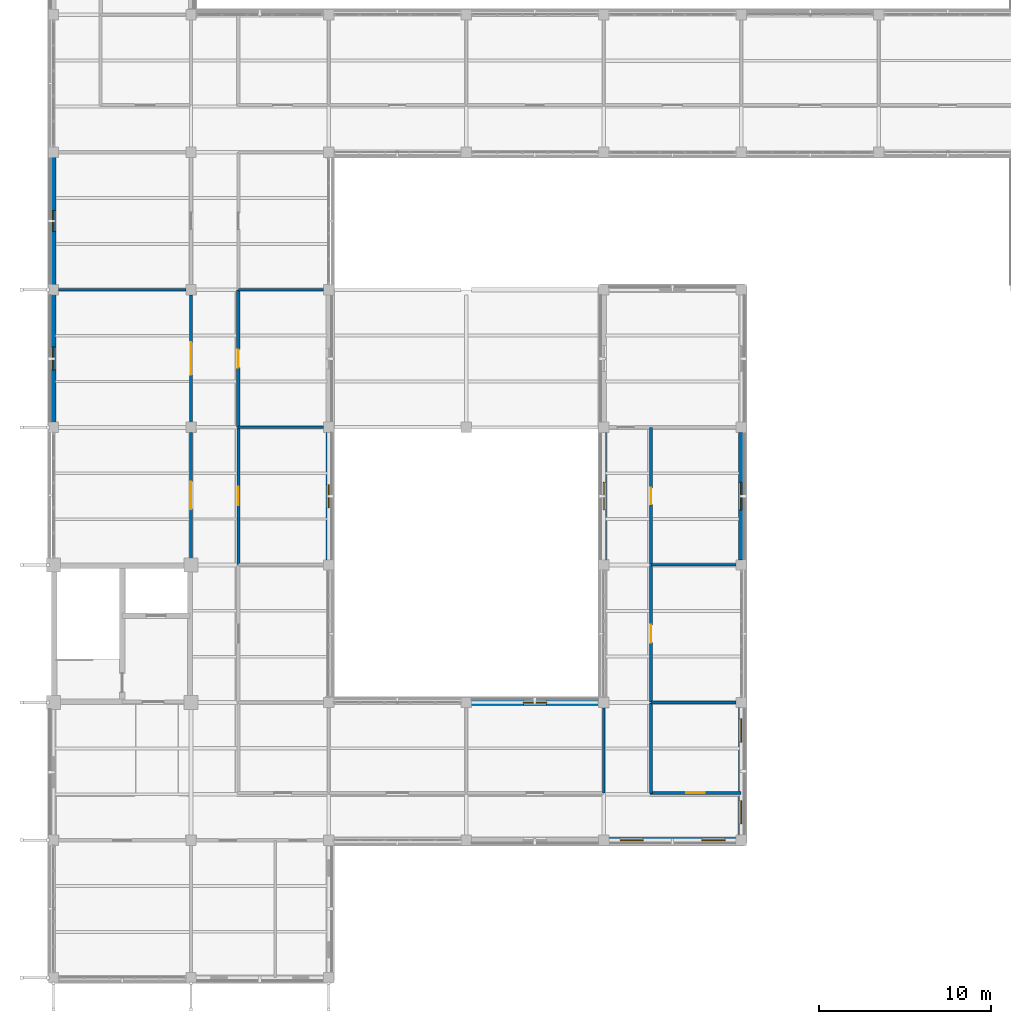
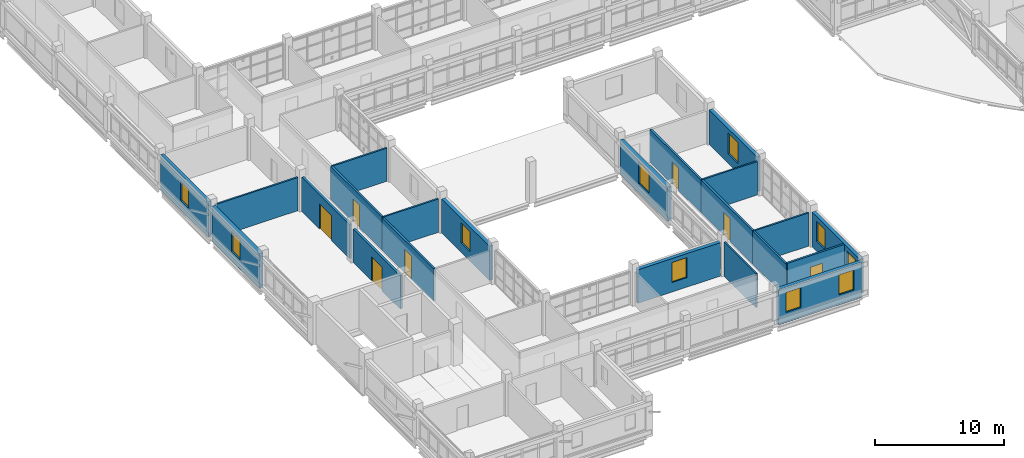
# One storey, part 88 of 126: 22 walls, 10 windows, 7 doors, 17 openings.
"""IFC4 building model written with IfcOpenShell, lengths in metres."""

from ifc_helpers import new_model, si_unit, derived_unit, direction, frame, frame_2d, origin, place, context, subcontext, project, spatial, rectangle, extrude, material, layer, layer_set, type_object, element, fill, save


model = new_model("IFC4")

# Units and contexts
model_context = context("Model", 3, precision=1e-05, world=origin(), true_north=direction((0.0, 1.0)))
body_context = subcontext(model_context, "Body", "Model", "MODEL_VIEW")
ifc_project = project(units=[si_unit("LENGTHUNIT", "METRE"), si_unit("AREAUNIT", "SQUARE_METRE"), si_unit("VOLUMEUNIT", "CUBIC_METRE"), si_unit("PLANEANGLEUNIT", "RADIAN"), si_unit("MASSUNIT", "GRAM", prefix="KILO"), derived_unit("THERMALTRANSMITTANCEUNIT", [(si_unit("MASSUNIT", "GRAM", prefix="KILO"), 1), (si_unit("TIMEUNIT", "SECOND"), -3), (si_unit("THERMODYNAMICTEMPERATUREUNIT", "KELVIN"), -1)])], contexts=[model_context])

# Site, building, storey
site_placement = place(None, origin())
site = spatial("IfcSite", under=ifc_project, at=site_placement, CompositionType="ELEMENT")
building_placement = place(site_placement, origin())
building = spatial("IfcBuilding", under=site, at=building_placement, Name="Veyamyaing Civic Hall", CompositionType="ELEMENT")
storey_placement = place(building_placement, frame((0.0, 0.0, 9.89990234375)))
storey = spatial("IfcBuildingStorey", under=building, at=storey_placement, Name="L02", CompositionType="ELEMENT", Elevation=9.89990234375)

# Wall, opening, window
ifc_material_1 = material(Name="Precast concrete C40/50", Category="concrete")
ifc_layer_1 = layer(ifc_material_1, 0.320068359375, Name="Precast concrete C40/50")
ifc_layer_set_1 = layer_set([ifc_layer_1], Name="Precast concrete C40/50")
wall_type_1 = type_object("IfcWallType", Name="WT-02", PredefinedType="SOLIDWALL", material=ifc_layer_set_1)
wall_1_placement = place(storey_placement, frame((0.0, 32.284912109375, 0.0), z_axis=(0.0, 0.0, 1.0), x_axis=(0.0, 1.0, 0.0)))
wall_1 = element("IfcWall", 1, at=wall_1_placement, inside=storey, type_object=wall_type_1, Name="Exterior facade wall WT-02 L02 W 1.5", PredefinedType="SOLIDWALL", context=body_context, shape_type="SweptSolid", body=[
    extrude(rectangle(XDim=7.43017578125, YDim=0.320068359375, at=frame_2d((3.715087890625, 0.0))), origin(), (0.0, 0.0, 1.0), 3.299072265625),
])
opening_1_placement = place(wall_1_placement, frame((3.0400390625, 0.0, 0.89990234375)))
opening_1 = element("IfcOpeningElement", 2, at=opening_1_placement, cuts=wall_1, Name="Opening W-13", PredefinedType="OPENING", context=body_context, shape_type="SweptSolid", body=[
    extrude(rectangle(XDim=1.35009765625, YDim=1.89990234375, at=frame_2d((0.675048828125, 0.949951171875))), frame((0.0, 0.169921875, 0.0), z_axis=(0.0, -1.0, 0.0), x_axis=(1.0, 0.0, 0.0)), (0.0, 0.0, 1.0), 0.340087890625),
])
ifc_material_2 = material(Name="Low-E insulated glass", Category="glass")
window_type_1 = type_object("IfcWindowType", Name="W-13", PartitioningType="SINGLE_PANEL", PredefinedType="WINDOW", material=ifc_material_2)
window_1_placement = place(opening_1_placement, origin())
window_1 = element("IfcWindow", 3, at=window_1_placement, inside=storey, type_object=window_type_1, Name="Facade window W-13 L02 W 1.5", OverallHeight=1.89990234375, OverallWidth=1.35009765625, PartitioningType="SINGLE_PANEL", PredefinedType="WINDOW", context=body_context, shape_type="SweptSolid", body=[
    extrude(rectangle(XDim=1.35009765625, YDim=1.89990234375, at=frame_2d((0.675048828125, 0.949951171875))), frame((0.0, 0.030029296875, 0.0), z_axis=(0.0, -1.0, 0.0), x_axis=(1.0, 0.0, 0.0)), (0.0, 0.0, 1.0), 0.06005859375),
])
fill(opening_1, window_1)

wall_2_placement = place(storey_placement, frame((16.0, 24.284912109375, 0.0), z_axis=(0.0, 0.0, 1.0), x_axis=(0.0, 1.0, 0.0)))
wall_2 = element("IfcWall", 4, at=wall_2_placement, inside=storey, type_object=wall_type_1, Name="Exterior facade wall WT-02 L02 E 2.4", PredefinedType="SOLIDWALL", context=body_context, shape_type="SweptSolid", body=[
    extrude(rectangle(XDim=7.43017578125, YDim=0.320068359375, at=frame_2d((3.715087890625, 0.0))), origin(), (0.0, 0.0, 1.0), 3.2490234375),
])
opening_2_placement = place(wall_2_placement, frame((3.0400390625, 0.0, 0.89990234375)))
opening_2 = element("IfcOpeningElement", 5, at=opening_2_placement, cuts=wall_2, Name="Opening W-13", PredefinedType="OPENING", context=body_context, shape_type="SweptSolid", body=[
    extrude(rectangle(XDim=1.35009765625, YDim=1.89990234375, at=frame_2d((0.675048828125, 0.949951171875))), frame((0.0, 0.169921875, 0.0), z_axis=(0.0, -1.0, 0.0), x_axis=(1.0, 0.0, 0.0)), (0.0, 0.0, 1.0), 0.340087890625),
])
window_2_placement = place(opening_2_placement, origin())
window_2 = element("IfcWindow", 6, at=window_2_placement, inside=storey, type_object=window_type_1, Name="Facade window W-13 L02 E 2.4", OverallHeight=1.89990234375, OverallWidth=1.35009765625, PartitioningType="SINGLE_PANEL", PredefinedType="WINDOW", context=body_context, shape_type="SweptSolid", body=[
    extrude(rectangle(XDim=1.35009765625, YDim=1.89990234375, at=frame_2d((0.675048828125, 0.949951171875))), frame((0.0, 0.030029296875, 0.0), z_axis=(0.0, -1.0, 0.0), x_axis=(1.0, 0.0, 0.0)), (0.0, 0.0, 1.0), 0.06005859375),
])
fill(opening_2, window_2)

wall_3_placement = place(storey_placement, frame((24.284912109375, 16.0, 0.0), z_axis=(0.0, 0.0, 1.0), x_axis=(1.0, 0.0, 0.0)))
wall_3 = element("IfcWall", 7, at=wall_3_placement, inside=storey, type_object=wall_type_1, Name="Exterior facade wall WT-02 L02 N 4.2", PredefinedType="SOLIDWALL", context=body_context, shape_type="SweptSolid", body=[
    extrude(rectangle(XDim=7.43017578125, YDim=0.320068359375, at=frame_2d((3.715087890625, 0.0))), origin(), (0.0, 0.0, 1.0), 3.17919921875),
])
opening_3_placement = place(wall_3_placement, frame((3.0400390625, 0.0, 0.89990234375)))
opening_3 = element("IfcOpeningElement", 8, at=opening_3_placement, cuts=wall_3, Name="Opening W-13", PredefinedType="OPENING", context=body_context, shape_type="SweptSolid", body=[
    extrude(rectangle(XDim=1.35009765625, YDim=1.89990234375, at=frame_2d((0.675048828125, 0.949951171875))), frame((0.0, 0.169921875, 0.0), z_axis=(0.0, -1.0, 0.0), x_axis=(1.0, 0.0, 0.0)), (0.0, 0.0, 1.0), 0.340087890625),
])
window_3_placement = place(opening_3_placement, origin())
window_3 = element("IfcWindow", 9, at=window_3_placement, inside=storey, type_object=window_type_1, Name="Facade window W-13 L02 N 4.2", OverallHeight=1.89990234375, OverallWidth=1.35009765625, PartitioningType="SINGLE_PANEL", PredefinedType="WINDOW", context=body_context, shape_type="SweptSolid", body=[
    extrude(rectangle(XDim=1.35009765625, YDim=1.89990234375, at=frame_2d((0.675048828125, 0.949951171875))), frame((0.0, 0.030029296875, 0.0), z_axis=(0.0, -1.0, 0.0), x_axis=(1.0, 0.0, 0.0)), (0.0, 0.0, 1.0), 0.06005859375),
])
fill(opening_3, window_3)

# Wall, openings, windows
wall_4_placement = place(storey_placement, frame((32.284912109375, 8.0, 0.0), z_axis=(0.0, 0.0, 1.0), x_axis=(1.0, 0.0, 0.0)))
wall_4 = element("IfcWall", 10, at=wall_4_placement, inside=storey, type_object=wall_type_1, Name="Exterior facade wall WT-02 L02 S 5.2", PredefinedType="SOLIDWALL", context=body_context, shape_type="SweptSolid", body=[
    extrude(rectangle(XDim=7.43017578125, YDim=0.320068359375, at=frame_2d((3.715087890625, 0.0))), origin(), (0.0, 0.0, 1.0), 3.362060546875),
])
opening_4_placement = place(wall_4_placement, frame((0.662353515625, 0.0, 0.949951171875)))
opening_4 = element("IfcOpeningElement", 11, at=opening_4_placement, cuts=wall_4, Name="Opening W-13", PredefinedType="OPENING", context=body_context, shape_type="SweptSolid", body=[
    extrude(rectangle(XDim=1.35009765625, YDim=1.89990234375, at=frame_2d((0.675048828125, 0.949951171875))), frame((0.0, 0.169921875, 0.0), z_axis=(0.0, -1.0, 0.0), x_axis=(1.0, 0.0, 0.0)), (0.0, 0.0, 1.0), 0.340087890625),
])
opening_5_placement = place(wall_4_placement, frame((5.41748046875, 0.0, 0.949951171875)))
opening_5 = element("IfcOpeningElement", 12, at=opening_5_placement, cuts=wall_4, Name="Opening W-13", PredefinedType="OPENING", context=body_context, shape_type="SweptSolid", body=[
    extrude(rectangle(XDim=1.35009765625, YDim=1.89990234375, at=frame_2d((0.675048828125, 0.949951171875))), frame((0.0, 0.169921875, 0.0), z_axis=(0.0, -1.0, 0.0), x_axis=(1.0, 0.0, 0.0)), (0.0, 0.0, 1.0), 0.340087890625),
])
window_4_placement = place(opening_4_placement, origin())
window_4 = element("IfcWindow", 13, at=window_4_placement, inside=storey, type_object=window_type_1, Name="Facade window W-13 L02 S 5.2.1", OverallHeight=1.89990234375, OverallWidth=1.35009765625, PartitioningType="SINGLE_PANEL", PredefinedType="WINDOW", context=body_context, shape_type="SweptSolid", body=[
    extrude(rectangle(XDim=1.35009765625, YDim=1.89990234375, at=frame_2d((0.675048828125, 0.949951171875))), frame((0.0, 0.030029296875, 0.0), z_axis=(0.0, -1.0, 0.0), x_axis=(1.0, 0.0, 0.0)), (0.0, 0.0, 1.0), 0.06005859375),
])
fill(opening_4, window_4)
window_5_placement = place(opening_5_placement, origin())
window_5 = element("IfcWindow", 14, at=window_5_placement, inside=storey, type_object=window_type_1, Name="Facade window W-13 L02 S 5.2.2", OverallHeight=1.89990234375, OverallWidth=1.35009765625, PartitioningType="SINGLE_PANEL", PredefinedType="WINDOW", context=body_context, shape_type="SweptSolid", body=[
    extrude(rectangle(XDim=1.35009765625, YDim=1.89990234375, at=frame_2d((0.675048828125, 0.949951171875))), frame((0.0, 0.030029296875, 0.0), z_axis=(0.0, -1.0, 0.0), x_axis=(1.0, 0.0, 0.0)), (0.0, 0.0, 1.0), 0.06005859375),
])
fill(opening_5, window_5)

wall_5_placement = place(storey_placement, frame((40.0, 8.284912109375, 0.0), z_axis=(0.0, 0.0, 1.0), x_axis=(0.0, 1.0, 0.0)))
wall_5 = element("IfcWall", 15, at=wall_5_placement, inside=storey, type_object=wall_type_1, Name="Exterior facade wall WT-02 L02 E 5.2", PredefinedType="SOLIDWALL", context=body_context, shape_type="SweptSolid", body=[
    extrude(rectangle(XDim=7.43017578125, YDim=0.320068359375, at=frame_2d((3.715087890625, 0.0))), origin(), (0.0, 0.0, 1.0), 3.295166015625),
])
opening_6_placement = place(wall_5_placement, frame((0.662353515625, 0.0, 0.949951171875)))
opening_6 = element("IfcOpeningElement", 16, at=opening_6_placement, cuts=wall_5, Name="Opening W-13", PredefinedType="OPENING", context=body_context, shape_type="SweptSolid", body=[
    extrude(rectangle(XDim=1.35009765625, YDim=1.89990234375, at=frame_2d((0.675048828125, 0.949951171875))), frame((0.0, 0.169921875, 0.0), z_axis=(0.0, -1.0, 0.0), x_axis=(1.0, 0.0, 0.0)), (0.0, 0.0, 1.0), 0.340087890625),
])
opening_7_placement = place(wall_5_placement, frame((5.41748046875, 0.0, 0.949951171875)))
opening_7 = element("IfcOpeningElement", 17, at=opening_7_placement, cuts=wall_5, Name="Opening W-13", PredefinedType="OPENING", context=body_context, shape_type="SweptSolid", body=[
    extrude(rectangle(XDim=1.35009765625, YDim=1.89990234375, at=frame_2d((0.675048828125, 0.949951171875))), frame((0.0, 0.169921875, 0.0), z_axis=(0.0, -1.0, 0.0), x_axis=(1.0, 0.0, 0.0)), (0.0, 0.0, 1.0), 0.340087890625),
])
window_6_placement = place(opening_6_placement, origin())
window_6 = element("IfcWindow", 18, at=window_6_placement, inside=storey, type_object=window_type_1, Name="Facade window W-13 L02 E 5.2.1", OverallHeight=1.89990234375, OverallWidth=1.35009765625, PartitioningType="SINGLE_PANEL", PredefinedType="WINDOW", context=body_context, shape_type="SweptSolid", body=[
    extrude(rectangle(XDim=1.35009765625, YDim=1.89990234375, at=frame_2d((0.675048828125, 0.949951171875))), frame((0.0, 0.030029296875, 0.0), z_axis=(0.0, -1.0, 0.0), x_axis=(1.0, 0.0, 0.0)), (0.0, 0.0, 1.0), 0.06005859375),
])
fill(opening_6, window_6)
window_7_placement = place(opening_7_placement, origin())
window_7 = element("IfcWindow", 19, at=window_7_placement, inside=storey, type_object=window_type_1, Name="Facade window W-13 L02 E 5.2.2", OverallHeight=1.89990234375, OverallWidth=1.35009765625, PartitioningType="SINGLE_PANEL", PredefinedType="WINDOW", context=body_context, shape_type="SweptSolid", body=[
    extrude(rectangle(XDim=1.35009765625, YDim=1.89990234375, at=frame_2d((0.675048828125, 0.949951171875))), frame((0.0, 0.030029296875, 0.0), z_axis=(0.0, -1.0, 0.0), x_axis=(1.0, 0.0, 0.0)), (0.0, 0.0, 1.0), 0.06005859375),
])
fill(opening_7, window_7)

# Wall, opening, window
wall_6_placement = place(storey_placement, frame((32.0, 24.284912109375, 0.0), z_axis=(0.0, 0.0, 1.0), x_axis=(0.0, 1.0, 0.0)))
wall_6 = element("IfcWall", 20, at=wall_6_placement, inside=storey, type_object=wall_type_1, Name="Exterior facade wall WT-02 L02 W 5.4", PredefinedType="SOLIDWALL", context=body_context, shape_type="SweptSolid", body=[
    extrude(rectangle(XDim=7.43017578125, YDim=0.320068359375, at=frame_2d((3.715087890625, 0.0))), origin(), (0.0, 0.0, 1.0), 3.2431640625),
])
opening_8_placement = place(wall_6_placement, frame((2.9150390625, 0.0, 0.89990234375)))
opening_8 = element("IfcOpeningElement", 21, at=opening_8_placement, cuts=wall_6, Name="Opening W-11", PredefinedType="OPENING", context=body_context, shape_type="SweptSolid", body=[
    extrude(rectangle(XDim=1.60009765625, YDim=2.0, at=frame_2d((0.800048828125, 1.0))), frame((0.0, 0.169921875, 0.0), z_axis=(0.0, -1.0, 0.0), x_axis=(1.0, 0.0, 0.0)), (0.0, 0.0, 1.0), 0.340087890625),
])
window_type_2 = type_object("IfcWindowType", Name="W-11", PartitioningType="SINGLE_PANEL", PredefinedType="WINDOW", material=ifc_material_2)
window_8_placement = place(opening_8_placement, origin())
window_8 = element("IfcWindow", 22, at=window_8_placement, inside=storey, type_object=window_type_2, Name="Facade window W-11 L02 W 5.4", OverallHeight=2.0, OverallWidth=1.60009765625, PartitioningType="SINGLE_PANEL", PredefinedType="WINDOW", context=body_context, shape_type="SweptSolid", body=[
    extrude(rectangle(XDim=1.60009765625, YDim=2.0, at=frame_2d((0.800048828125, 1.0))), frame((0.0, 0.030029296875, 0.0), z_axis=(0.0, -1.0, 0.0), x_axis=(1.0, 0.0, 0.0)), (0.0, 0.0, 1.0), 0.06005859375),
])
fill(opening_8, window_8)

wall_7_placement = place(storey_placement, frame((40.0, 24.284912109375, 0.0), z_axis=(0.0, 0.0, 1.0), x_axis=(0.0, 1.0, 0.0)))
wall_7 = element("IfcWall", 23, at=wall_7_placement, inside=storey, type_object=wall_type_1, Name="Exterior facade wall WT-02 L02 E 5.4", PredefinedType="SOLIDWALL", context=body_context, shape_type="SweptSolid", body=[
    extrude(rectangle(XDim=7.43017578125, YDim=0.320068359375, at=frame_2d((3.715087890625, 0.0))), origin(), (0.0, 0.0, 1.0), 3.299072265625),
])
opening_9_placement = place(wall_7_placement, frame((2.9150390625, 0.0, 0.89990234375)))
opening_9 = element("IfcOpeningElement", 24, at=opening_9_placement, cuts=wall_7, Name="Opening W-11", PredefinedType="OPENING", context=body_context, shape_type="SweptSolid", body=[
    extrude(rectangle(XDim=1.60009765625, YDim=2.0, at=frame_2d((0.800048828125, 1.0))), frame((0.0, 0.169921875, 0.0), z_axis=(0.0, -1.0, 0.0), x_axis=(1.0, 0.0, 0.0)), (0.0, 0.0, 1.0), 0.340087890625),
])
window_9_placement = place(opening_9_placement, origin())
window_9 = element("IfcWindow", 25, at=window_9_placement, inside=storey, type_object=window_type_2, Name="Facade window W-11 L02 E 5.4", OverallHeight=2.0, OverallWidth=1.60009765625, PartitioningType="SINGLE_PANEL", PredefinedType="WINDOW", context=body_context, shape_type="SweptSolid", body=[
    extrude(rectangle(XDim=1.60009765625, YDim=2.0, at=frame_2d((0.800048828125, 1.0))), frame((0.0, 0.030029296875, 0.0), z_axis=(0.0, -1.0, 0.0), x_axis=(1.0, 0.0, 0.0)), (0.0, 0.0, 1.0), 0.06005859375),
])
fill(opening_9, window_9)

ifc_layer_2 = layer(ifc_material_1, 0.280029296875, Name="Precast concrete C40/50")
ifc_layer_set_2 = layer_set([ifc_layer_2], Name="Precast concrete C40/50")
wall_type_2 = type_object("IfcWallType", Name="WT-04", PredefinedType="SOLIDWALL", material=ifc_layer_set_2)
wall_8_placement = place(storey_placement, frame((0.0, 40.284912109375, 0.0), z_axis=(0.0, 0.0, 1.0), x_axis=(0.0, 1.0, 0.0)))
wall_8 = element("IfcWall", 26, at=wall_8_placement, inside=storey, type_object=wall_type_2, Name="Exterior facade wall WT-04 L02 W 1.6", PredefinedType="SOLIDWALL", context=body_context, shape_type="SweptSolid", body=[
    extrude(rectangle(XDim=7.43017578125, YDim=0.280029296875, at=frame_2d((3.715087890625, 0.0))), origin(), (0.0, 0.0, 1.0), 3.34716796875),
])
opening_10_placement = place(wall_8_placement, frame((3.114990234375, 0.0, 0.89990234375)))
opening_10 = element("IfcOpeningElement", 27, at=opening_10_placement, cuts=wall_8, Name="Opening W-14", PredefinedType="OPENING", context=body_context, shape_type="SweptSolid", body=[
    extrude(rectangle(XDim=1.199951171875, YDim=1.800048828125, at=frame_2d((0.60009765625, 0.89990234375))), frame((0.0, 0.14990234375, 0.0), z_axis=(0.0, -1.0, 0.0), x_axis=(1.0, 0.0, 0.0)), (0.0, 0.0, 1.0), 0.300048828125),
])
window_type_3 = type_object("IfcWindowType", Name="W-14", PartitioningType="SINGLE_PANEL", PredefinedType="WINDOW", material=ifc_material_2)
window_10_placement = place(opening_10_placement, origin())
window_10 = element("IfcWindow", 28, at=window_10_placement, inside=storey, type_object=window_type_3, Name="Facade window W-14 L02 W 1.6", OverallHeight=1.800048828125, OverallWidth=1.199951171875, PartitioningType="SINGLE_PANEL", PredefinedType="WINDOW", context=body_context, shape_type="SweptSolid", body=[
    extrude(rectangle(XDim=1.199951171875, YDim=1.800048828125, at=frame_2d((0.60009765625, 0.89990234375))), frame((0.0, 0.030029296875, 0.0), z_axis=(0.0, -1.0, 0.0), x_axis=(1.0, 0.0, 0.0)), (0.0, 0.0, 1.0), 0.06005859375),
])
fill(opening_10, window_10)

# Wall, opening, door
ifc_material_3 = material(Name="Concrete C40/50", Category="concrete")
ifc_layer_3 = layer(ifc_material_3, 0.199951171875, Name="Concrete C40/50")
ifc_layer_set_3 = layer_set([ifc_layer_3], Name="Concrete C40/50")
wall_type_3 = type_object("IfcWallType", Name="WT-06", PredefinedType="PARTITIONING", material=ifc_layer_set_3)
wall_9_placement = place(storey_placement, frame((8.0, 24.389892578125, 0.0), z_axis=(0.0, 0.0, 1.0), x_axis=(0.0, 1.0, 0.0)))
wall_9 = element("IfcWall", 29, at=wall_9_placement, inside=storey, type_object=wall_type_3, Name="Interior partition wall WT-06 L02.3", PredefinedType="PARTITIONING", context=body_context, shape_type="SweptSolid", body=[
    extrude(rectangle(XDim=7.320068359375, YDim=0.199951171875, at=frame_2d((3.66015625, 0.0))), origin(), (0.0, 0.0, 1.0), 3.172119140625),
])
opening_11_placement = place(wall_9_placement, frame((2.860107421875, 0.0, 0.0)))
opening_11 = element("IfcOpeningElement", 30, at=opening_11_placement, cuts=wall_9, Name="Opening D-09", PredefinedType="OPENING", context=body_context, shape_type="SweptSolid", body=[
    extrude(rectangle(XDim=1.60009765625, YDim=2.25, at=frame_2d((0.800048828125, 1.125))), frame((0.0, 0.10986328125, 0.0), z_axis=(0.0, -1.0, 0.0), x_axis=(1.0, 0.0, 0.0)), (0.0, 0.0, 1.0), 0.219970703125),
])
ifc_material_4 = material(Name="Teak-veneered acoustic timber", Category="wood")
door_type_1 = type_object("IfcDoorType", Name="D-09", OperationType="DOUBLE_DOOR_SINGLE_SWING", PredefinedType="DOOR", material=ifc_material_4)
door_1_placement = place(opening_11_placement, origin())
door_1 = element("IfcDoor", 31, at=door_1_placement, inside=storey, type_object=door_type_1, Name="Interior door D-09 L02.3", OperationType="DOUBLE_DOOR_SINGLE_SWING", OverallHeight=2.25, OverallWidth=1.60009765625, PredefinedType="DOOR", context=body_context, shape_type="SweptSolid", body=[
    extrude(rectangle(XDim=1.60009765625, YDim=2.25, at=frame_2d((0.800048828125, 1.125))), frame((0.0, 0.02490234375, 0.0), z_axis=(0.0, -1.0, 0.0), x_axis=(1.0, 0.0, 0.0)), (0.0, 0.0, 1.0), 0.050048828125),
])
fill(opening_11, door_1)

wall_10_placement = place(storey_placement, frame((8.0, 32.2900390625, 0.0), z_axis=(0.0, 0.0, 1.0), x_axis=(0.0, 1.0, 0.0)))
wall_10 = element("IfcWall", 32, at=wall_10_placement, inside=storey, type_object=wall_type_3, Name="Interior partition wall WT-06 L02.4", PredefinedType="PARTITIONING", context=body_context, shape_type="SweptSolid", body=[
    extrude(rectangle(XDim=7.419921875, YDim=0.199951171875, at=frame_2d((3.7099609375, 0.0))), origin(), (0.0, 0.0, 1.0), 3.2421875),
])
opening_12_placement = place(wall_10_placement, frame((2.760009765625, 0.0, 0.0)))
opening_12 = element("IfcOpeningElement", 33, at=opening_12_placement, cuts=wall_10, Name="Opening D-31", PredefinedType="OPENING", context=body_context, shape_type="SweptSolid", body=[
    extrude(rectangle(XDim=1.89990234375, YDim=2.3798828125, at=frame_2d((0.949951171875, 1.18994140625))), frame((0.0, 0.10986328125, 0.0), z_axis=(0.0, -1.0, 0.0), x_axis=(1.0, 0.0, 0.0)), (0.0, 0.0, 1.0), 0.219970703125),
])
door_type_2 = type_object("IfcDoorType", Name="D-31", OperationType="DOUBLE_DOOR_SINGLE_SWING", PredefinedType="DOOR", material=ifc_material_4)
door_2_placement = place(opening_12_placement, origin())
door_2 = element("IfcDoor", 34, at=door_2_placement, inside=storey, type_object=door_type_2, Name="Interior door D-31 L02.4", OperationType="DOUBLE_DOOR_SINGLE_SWING", OverallHeight=2.3798828125, OverallWidth=1.89990234375, PredefinedType="DOOR", context=body_context, shape_type="SweptSolid", body=[
    extrude(rectangle(XDim=1.89990234375, YDim=2.3798828125, at=frame_2d((0.949951171875, 1.18994140625))), frame((0.0, 0.02490234375, 0.0), z_axis=(0.0, -1.0, 0.0), x_axis=(1.0, 0.0, 0.0)), (0.0, 0.0, 1.0), 0.050048828125),
])
fill(opening_12, door_2)

ifc_material_5 = material(Name="Gypsum board on acoustic steel stud", Category="steel")
ifc_layer_4 = layer(ifc_material_5, 0.175048828125, Name="Gypsum board on acoustic steel stud")
ifc_layer_set_4 = layer_set([ifc_layer_4], Name="Gypsum board on acoustic steel stud")
wall_type_4 = type_object("IfcWallType", Name="WT-07", PredefinedType="PARTITIONING", material=ifc_layer_set_4)
wall_11_placement = place(storey_placement, frame((10.75, 24.02001953125, 0.0), z_axis=(0.0, 0.0, 1.0), x_axis=(0.0, 1.0, 0.0)))
wall_11 = element("IfcWall", 35, at=wall_11_placement, inside=storey, type_object=wall_type_4, Name="Corridor gallery partition WT-07 L02.11.1", PredefinedType="PARTITIONING", context=body_context, shape_type="SweptSolid", body=[
    extrude(rectangle(XDim=7.9599609375, YDim=0.175048828125, at=frame_2d((3.97998046875, 0.0))), origin(), (0.0, 0.0, 1.0), 3.09716796875),
])
opening_13_placement = place(wall_11_placement, frame((3.43994140625, 0.0, 0.0)))
opening_13 = element("IfcOpeningElement", 36, at=opening_13_placement, cuts=wall_11, Name="Opening D-23", PredefinedType="OPENING", context=body_context, shape_type="SweptSolid", body=[
    extrude(rectangle(XDim=1.080078125, YDim=2.199951171875, at=frame_2d((0.5400390625, 1.10009765625))), frame((0.0, 0.097412109375, 0.0), z_axis=(0.0, -1.0, 0.0), x_axis=(1.0, 0.0, 0.0)), (0.0, 0.0, 1.0), 0.195068359375),
])
door_type_3 = type_object("IfcDoorType", Name="D-23", OperationType="NOTDEFINED", PredefinedType="DOOR", material=ifc_material_4)
door_3_placement = place(opening_13_placement, frame((1.080078125, 0.0, 0.0), z_axis=(0.0, 0.0, 1.0), x_axis=(-1.0, 0.0, 0.0)))
door_3 = element("IfcDoor", 37, at=door_3_placement, inside=storey, type_object=door_type_3, Name="Gallery office door D-23 L02.11", OperationType="SINGLE_SWING_LEFT", OverallHeight=2.199951171875, OverallWidth=1.080078125, PredefinedType="DOOR", context=body_context, shape_type="SweptSolid", body=[
    extrude(rectangle(XDim=1.080078125, YDim=2.199951171875, at=frame_2d((0.5400390625, 1.10009765625))), frame((0.0, 0.02490234375, 0.0), z_axis=(0.0, -1.0, 0.0), x_axis=(1.0, 0.0, 0.0)), (0.0, 0.0, 1.0), 0.050048828125),
])
fill(opening_13, door_3)

wall_12_placement = place(storey_placement, frame((34.699951171875, 10.75, 0.0), z_axis=(0.0, 0.0, 1.0), x_axis=(1.0, 0.0, 0.0)))
wall_12 = element("IfcWall", 38, at=wall_12_placement, inside=storey, type_object=wall_type_4, Name="Corridor gallery partition WT-07 L02.21.1", PredefinedType="PARTITIONING", context=body_context, shape_type="SweptSolid", body=[
    extrude(rectangle(XDim=5.280029296875, YDim=0.175048828125, at=frame_2d((2.64013671875, 0.0))), origin(), (0.0, 0.0, 1.0), 3.2880859375),
])
opening_14_placement = place(wall_12_placement, frame((2.10009765625, 0.0, 0.0)))
opening_14 = element("IfcOpeningElement", 39, at=opening_14_placement, cuts=wall_12, Name="Opening D-23", PredefinedType="OPENING", context=body_context, shape_type="SweptSolid", body=[
    extrude(rectangle(XDim=1.080078125, YDim=2.199951171875, at=frame_2d((0.5400390625, 1.10009765625))), frame((0.0, 0.097412109375, 0.0), z_axis=(0.0, -1.0, 0.0), x_axis=(1.0, 0.0, 0.0)), (0.0, 0.0, 1.0), 0.195068359375),
])
door_4_placement = place(opening_14_placement, origin())
door_4 = element("IfcDoor", 40, at=door_4_placement, inside=storey, type_object=door_type_3, Name="Gallery office door D-23 L02.21", OperationType="SINGLE_SWING_LEFT", OverallHeight=2.199951171875, OverallWidth=1.080078125, PredefinedType="DOOR", context=body_context, shape_type="SweptSolid", body=[
    extrude(rectangle(XDim=1.080078125, YDim=2.199951171875, at=frame_2d((0.5400390625, 1.10009765625))), frame((0.0, 0.02490234375, 0.0), z_axis=(0.0, -1.0, 0.0), x_axis=(1.0, 0.0, 0.0)), (0.0, 0.0, 1.0), 0.050048828125),
])
fill(opening_14, door_4)

# Wall
wall_13_placement = place(storey_placement, frame((34.75, 10.699951171875, 0.0), z_axis=(0.0, 0.0, 1.0), x_axis=(0.0, 1.0, 0.0)))
element("IfcWall", 41, at=wall_13_placement, inside=storey, type_object=wall_type_4, Name="Corridor gallery partition WT-07 L02.21.2", PredefinedType="PARTITIONING", context=body_context, shape_type="SweptSolid", body=[
    extrude(rectangle(XDim=5.280029296875, YDim=0.175048828125, at=frame_2d((2.64013671875, 0.0))), origin(), (0.0, 0.0, 1.0), 3.156005859375),
])

# Wall, opening, door
wall_14_placement = place(storey_placement, frame((34.75, 24.02001953125, 0.0), z_axis=(0.0, 0.0, 1.0), x_axis=(0.0, 1.0, 0.0)))
wall_14 = element("IfcWall", 42, at=wall_14_placement, inside=storey, type_object=wall_type_4, Name="Corridor gallery partition WT-07 L02.23.1", PredefinedType="PARTITIONING", context=body_context, shape_type="SweptSolid", body=[
    extrude(rectangle(XDim=7.9599609375, YDim=0.175048828125, at=frame_2d((3.97998046875, 0.0))), origin(), (0.0, 0.0, 1.0), 3.09716796875),
])
opening_15_placement = place(wall_14_placement, frame((3.5, 0.0, 0.0)))
opening_15 = element("IfcOpeningElement", 43, at=opening_15_placement, cuts=wall_14, Name="Opening D-25", PredefinedType="OPENING", context=body_context, shape_type="SweptSolid", body=[
    extrude(rectangle(XDim=0.9599609375, YDim=2.139892578125, at=frame_2d((0.47998046875, 1.06982421875))), frame((0.0, 0.097412109375, 0.0), z_axis=(0.0, -1.0, 0.0), x_axis=(1.0, 0.0, 0.0)), (0.0, 0.0, 1.0), 0.195068359375),
])
door_type_4 = type_object("IfcDoorType", Name="D-25", OperationType="NOTDEFINED", PredefinedType="DOOR", material=ifc_material_4)
door_5_placement = place(opening_15_placement, frame((0.9599609375, 0.0, 0.0), z_axis=(0.0, 0.0, 1.0), x_axis=(-1.0, 0.0, 0.0)))
door_5 = element("IfcDoor", 44, at=door_5_placement, inside=storey, type_object=door_type_4, Name="Gallery office door D-25 L02.23", OperationType="SINGLE_SWING_LEFT", OverallHeight=2.139892578125, OverallWidth=0.9599609375, PredefinedType="DOOR", context=body_context, shape_type="SweptSolid", body=[
    extrude(rectangle(XDim=0.9599609375, YDim=2.139892578125, at=frame_2d((0.47998046875, 1.06982421875))), frame((0.0, 0.02490234375, 0.0), z_axis=(0.0, -1.0, 0.0), x_axis=(1.0, 0.0, 0.0)), (0.0, 0.0, 1.0), 0.050048828125),
])
fill(opening_15, door_5)

# Walls
ifc_material_6 = material(Name="Gypsum board on steel stud", Category="steel")
ifc_layer_5 = layer(ifc_material_6, 0.14990234375, Name="Gypsum board on steel stud")
ifc_layer_set_5 = layer_set([ifc_layer_5], Name="Gypsum board on steel stud")
wall_type_5 = type_object("IfcWallType", Name="WT-08", PredefinedType="PARTITIONING", material=ifc_layer_set_5)
wall_15_placement = place(storey_placement, frame((10.75, 32.0, 0.0), z_axis=(0.0, 0.0, 1.0), x_axis=(1.0, 0.0, 0.0)))
element("IfcWall", 45, at=wall_15_placement, inside=storey, type_object=wall_type_5, Name="Gallery office end partition WT-08 L02.11.2", PredefinedType="PARTITIONING", context=body_context, shape_type="SweptSolid", body=[
    extrude(rectangle(XDim=4.93994140625, YDim=0.14990234375, at=frame_2d((2.469970703125, 0.0))), origin(), (0.0, 0.0, 1.0), 3.172119140625),
])
wall_16_placement = place(storey_placement, frame((10.75, 40.0, 0.0), z_axis=(0.0, 0.0, 1.0), x_axis=(1.0, 0.0, 0.0)))
element("IfcWall", 46, at=wall_16_placement, inside=storey, type_object=wall_type_5, Name="Gallery office end partition WT-08 L02.12.2", PredefinedType="PARTITIONING", context=body_context, shape_type="SweptSolid", body=[
    extrude(rectangle(XDim=4.93994140625, YDim=0.14990234375, at=frame_2d((2.469970703125, 0.0))), origin(), (0.0, 0.0, 1.0), 3.14111328125),
])
wall_17_placement = place(storey_placement, frame((32.0, 10.75, 0.0), z_axis=(0.0, 0.0, 1.0), x_axis=(0.0, 1.0, 0.0)))
element("IfcWall", 47, at=wall_17_placement, inside=storey, type_object=wall_type_5, Name="Gallery office end partition WT-08 L02.19.2", PredefinedType="PARTITIONING", context=body_context, shape_type="SweptSolid", body=[
    extrude(rectangle(XDim=4.93994140625, YDim=0.14990234375, at=frame_2d((2.469970703125, 0.0))), origin(), (0.0, 0.0, 1.0), 3.2421875),
])
wall_18_placement = place(storey_placement, frame((34.75, 16.0, 0.0), z_axis=(0.0, 0.0, 1.0), x_axis=(1.0, 0.0, 0.0)))
element("IfcWall", 48, at=wall_18_placement, inside=storey, type_object=wall_type_5, Name="Gallery office end partition WT-08 L02.21.1", PredefinedType="PARTITIONING", context=body_context, shape_type="SweptSolid", body=[
    extrude(rectangle(XDim=4.93994140625, YDim=0.14990234375, at=frame_2d((2.469970703125, 0.0))), origin(), (0.0, 0.0, 1.0), 3.156005859375),
])
wall_19_placement = place(storey_placement, frame((34.75, 24.0, 0.0), z_axis=(0.0, 0.0, 1.0), x_axis=(1.0, 0.0, 0.0)))
element("IfcWall", 49, at=wall_19_placement, inside=storey, type_object=wall_type_5, Name="Gallery office end partition WT-08 L02.22.2", PredefinedType="PARTITIONING", context=body_context, shape_type="SweptSolid", body=[
    extrude(rectangle(XDim=4.93994140625, YDim=0.14990234375, at=frame_2d((2.469970703125, 0.0))), origin(), (0.0, 0.0, 1.0), 3.166015625),
])
wall_20_placement = place(storey_placement, frame((0.2900390625, 40.0, 0.0), z_axis=(0.0, 0.0, 1.0), x_axis=(1.0, 0.0, 0.0)))
element("IfcWall", 50, at=wall_20_placement, inside=storey, type_object=wall_type_5, Name="Interior partition wall WT-08 L02.5", PredefinedType="PARTITIONING", context=body_context, shape_type="SweptSolid", body=[
    extrude(rectangle(XDim=7.419921875, YDim=0.14990234375, at=frame_2d((3.7099609375, 0.0))), origin(), (0.0, 0.0, 1.0), 3.156982421875),
])

# Wall, opening, door
ifc_material_7 = material(Name="Gypsum board on double acoustic stud")
ifc_layer_6 = layer(ifc_material_7, 0.18505859375, Name="Gypsum board on double acoustic stud")
ifc_layer_set_6 = layer_set([ifc_layer_6], Name="Gypsum board on double acoustic stud")
wall_type_6 = type_object("IfcWallType", Name="WT-19", PredefinedType="PARTITIONING", material=ifc_layer_set_6)
wall_21_placement = place(storey_placement, frame((10.75, 32.02001953125, 0.0), z_axis=(0.0, 0.0, 1.0), x_axis=(0.0, 1.0, 0.0)))
wall_21 = element("IfcWall", 51, at=wall_21_placement, inside=storey, type_object=wall_type_6, Name="Corridor gallery partition WT-19 L02.12.1", PredefinedType="PARTITIONING", context=body_context, shape_type="SweptSolid", body=[
    extrude(rectangle(XDim=7.9599609375, YDim=0.18505859375, at=frame_2d((3.97998046875, 0.0))), origin(), (0.0, 0.0, 1.0), 3.14111328125),
])
opening_16_placement = place(wall_21_placement, frame((3.4599609375, 0.0, 0.0)))
opening_16 = element("IfcOpeningElement", 52, at=opening_16_placement, cuts=wall_21, Name="Opening D-24", PredefinedType="OPENING", context=body_context, shape_type="SweptSolid", body=[
    extrude(rectangle(XDim=1.0400390625, YDim=2.179931640625, at=frame_2d((0.52001953125, 1.08984375))), frame((0.0, 0.1025390625, 0.0), z_axis=(0.0, -1.0, 0.0), x_axis=(1.0, 0.0, 0.0)), (0.0, 0.0, 1.0), 0.205078125),
])
door_type_5 = type_object("IfcDoorType", Name="D-24", OperationType="NOTDEFINED", PredefinedType="DOOR", material=ifc_material_4)
door_6_placement = place(opening_16_placement, frame((1.0400390625, 0.0, 0.0), z_axis=(0.0, 0.0, 1.0), x_axis=(-1.0, 0.0, 0.0)))
door_6 = element("IfcDoor", 53, at=door_6_placement, inside=storey, type_object=door_type_5, Name="Gallery office door D-24 L02.12", OperationType="SINGLE_SWING_RIGHT", OverallHeight=2.179931640625, OverallWidth=1.0400390625, PredefinedType="DOOR", context=body_context, shape_type="SweptSolid", body=[
    extrude(rectangle(XDim=1.0400390625, YDim=2.179931640625, at=frame_2d((0.52001953125, 1.08984375))), frame((0.0, 0.02490234375, 0.0), z_axis=(0.0, -1.0, 0.0), x_axis=(1.0, 0.0, 0.0)), (0.0, 0.0, 1.0), 0.050048828125),
])
fill(opening_16, door_6)

wall_22_placement = place(storey_placement, frame((34.75, 16.02001953125, 0.0), z_axis=(0.0, 0.0, 1.0), x_axis=(0.0, 1.0, 0.0)))
wall_22 = element("IfcWall", 54, at=wall_22_placement, inside=storey, type_object=wall_type_6, Name="Corridor gallery partition WT-19 L02.22.1", PredefinedType="PARTITIONING", context=body_context, shape_type="SweptSolid", body=[
    extrude(rectangle(XDim=7.9599609375, YDim=0.18505859375, at=frame_2d((3.97998046875, 0.0))), origin(), (0.0, 0.0, 1.0), 3.156005859375),
])
opening_17_placement = place(wall_22_placement, frame((3.4599609375, 0.0, 0.0)))
opening_17 = element("IfcOpeningElement", 55, at=opening_17_placement, cuts=wall_22, Name="Opening D-24", PredefinedType="OPENING", context=body_context, shape_type="SweptSolid", body=[
    extrude(rectangle(XDim=1.0400390625, YDim=2.179931640625, at=frame_2d((0.52001953125, 1.08984375))), frame((0.0, 0.1025390625, 0.0), z_axis=(0.0, -1.0, 0.0), x_axis=(1.0, 0.0, 0.0)), (0.0, 0.0, 1.0), 0.205078125),
])
door_7_placement = place(opening_17_placement, frame((1.0400390625, 0.0, 0.0), z_axis=(0.0, 0.0, 1.0), x_axis=(-1.0, 0.0, 0.0)))
door_7 = element("IfcDoor", 56, at=door_7_placement, inside=storey, type_object=door_type_5, Name="Gallery office door D-24 L02.22", OperationType="SINGLE_SWING_RIGHT", OverallHeight=2.179931640625, OverallWidth=1.0400390625, PredefinedType="DOOR", context=body_context, shape_type="SweptSolid", body=[
    extrude(rectangle(XDim=1.0400390625, YDim=2.179931640625, at=frame_2d((0.52001953125, 1.08984375))), frame((0.0, 0.02490234375, 0.0), z_axis=(0.0, -1.0, 0.0), x_axis=(1.0, 0.0, 0.0)), (0.0, 0.0, 1.0), 0.050048828125),
])
fill(opening_17, door_7)

save(model, "model.ifc")
